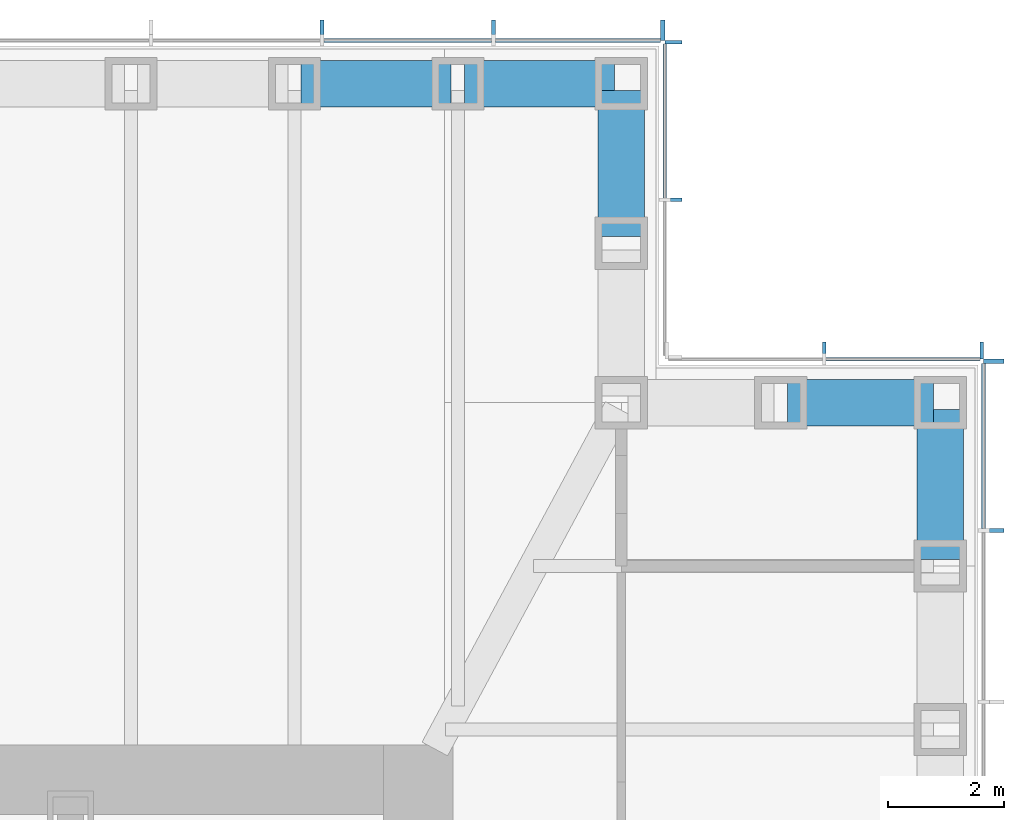
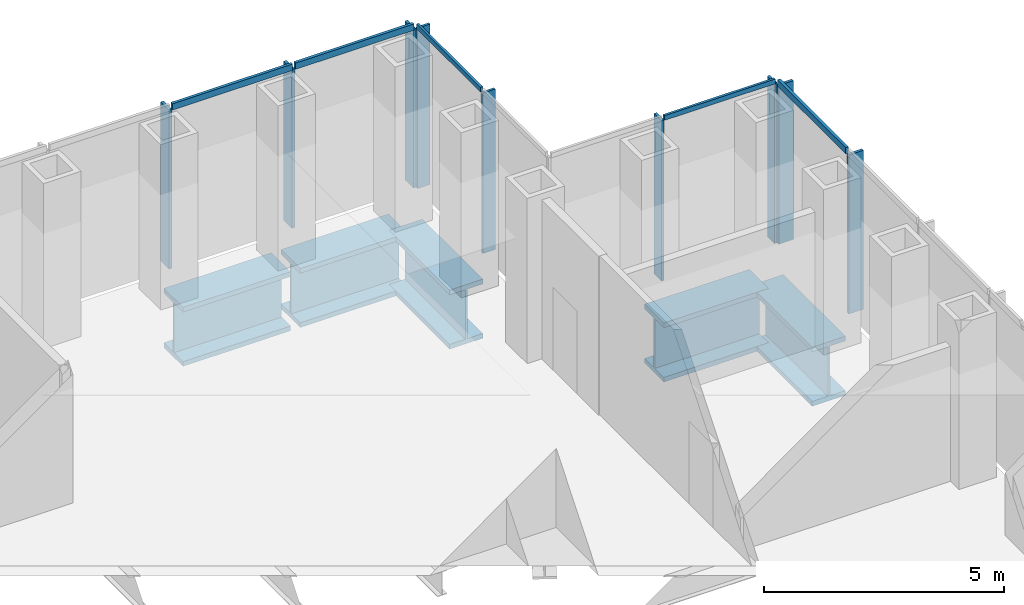
# One storey, part 6 of 16: 14 members, 5 beams, 4 elements without a shape of their own.
"""IFC4 building model written with IfcOpenShell, lengths in metres."""

from ifc_helpers import new_model, si_unit, direction, frame, origin, origin_2d, place, context, subcontext, project, spatial, rectangle, i_section, extrude, material, material_profile, profile_set, type_object, element, aggregate, save


model = new_model("IFC4")

# Units and contexts
model_context = context("Model", 3, precision=1e-05, world=origin(), true_north=direction((0.0, 1.0)))
body_context = subcontext(model_context, "Body", "Model", "MODEL_VIEW")
ifc_project = project(units=[si_unit("LENGTHUNIT", "METRE"), si_unit("AREAUNIT", "SQUARE_METRE"), si_unit("VOLUMEUNIT", "CUBIC_METRE"), si_unit("PLANEANGLEUNIT", "RADIAN"), si_unit("MASSUNIT", "GRAM", prefix="KILO")], contexts=[model_context])

# Site, building, storey
site_placement = place(None, origin())
site = spatial("IfcSite", under=ifc_project, at=site_placement, CompositionType="ELEMENT")
building_placement = place(site_placement, origin())
building = spatial("IfcBuilding", under=site, at=building_placement, Name="Daluyong Arena Tower", CompositionType="ELEMENT")
storey_placement = place(building_placement, frame((0.0, 0.0, 202.300048828125)))
storey = spatial("IfcBuildingStorey", under=building, at=storey_placement, Name="L45", CompositionType="ELEMENT", Elevation=202.300048828125)

# Curtain wall, members
ifc_material_1 = material(Name="Bronze anodised aluminium and glass", Category="aluminium")
curtain_wall_type_1 = type_object("IfcCurtainWallType", Name="Curtain wall CW3", PredefinedType="USERDEFINED", material=ifc_material_1)
curtain_wall_1_placement = place(storey_placement, origin())
curtain_wall_1 = element("IfcCurtainWall", 1, at=curtain_wall_1_placement, inside=storey, type_object=curtain_wall_type_1, Name="curtain wall L45 E", ObjectType="UNITISED CURTAIN WALL", PredefinedType="USERDEFINED")
ifc_material_2 = material(Name="Bronze anodised aluminium fin", Category="aluminium")
ifc_material_profile_1 = material_profile(ifc_material_2, rectangle(XDim=0.35009765625, YDim=0.070068359375, at=origin_2d()))
ifc_profile_set_1 = profile_set([ifc_material_profile_1], Name="Bronze anodised aluminium fin")
member_type_1 = type_object("IfcMemberType", Name="CW3 bronze fin 350x70", PredefinedType="MULLION", material=ifc_profile_set_1)
member_1_placement = place(storey_placement, frame((77.925048828125, 93.29541015625, 0.0), z_axis=(0.0, 0.0, 1.0), x_axis=(-1.0, 0.0, 0.0)))
member_1 = element("IfcMember", 2, at=member_1_placement, type_object=member_type_1, Name="curtain wall L45 E fin 11", PredefinedType="MULLION", context=body_context, shape_type="SweptSolid", body=[
    extrude(rectangle(XDim=0.35009765625, YDim=0.070068359375, at=origin_2d()), origin(), (0.0, 0.0, 1.0), 4.0400390625),
])
member_2_placement = place(storey_placement, frame((77.925048828125, 96.215087890625, 0.0), z_axis=(0.0, 0.0, 1.0), x_axis=(-1.0, 0.0, 0.0)))
member_2 = element("IfcMember", 3, at=member_2_placement, type_object=member_type_1, Name="curtain wall L45 E fin 12", PredefinedType="MULLION", context=body_context, shape_type="SweptSolid", body=[
    extrude(rectangle(XDim=0.35009765625, YDim=0.070068359375, at=origin_2d()), origin(), (0.0, 0.0, 1.0), 4.0400390625),
])

curtain_wall_2_placement = place(storey_placement, origin())
curtain_wall_2 = element("IfcCurtainWall", 4, at=curtain_wall_2_placement, inside=storey, type_object=curtain_wall_type_1, Name="curtain wall L45 N", ObjectType="UNITISED CURTAIN WALL", PredefinedType="USERDEFINED")
member_3_placement = place(storey_placement, frame((72.215087890625, 101.925048828125, 0.0), z_axis=(0.0, 0.0, 1.0), x_axis=(0.0, -1.0, 0.0)))
member_3 = element("IfcMember", 5, at=member_3_placement, type_object=member_type_1, Name="curtain wall L45 N fin 1", PredefinedType="MULLION", context=body_context, shape_type="SweptSolid", body=[
    extrude(rectangle(XDim=0.35009765625, YDim=0.070068359375, at=origin_2d()), origin(), (0.0, 0.0, 1.0), 4.0400390625),
])
member_4_placement = place(storey_placement, frame((69.29541015625, 101.925048828125, 0.0), z_axis=(0.0, 0.0, 1.0), x_axis=(0.0, -1.0, 0.0)))
member_4 = element("IfcMember", 6, at=member_4_placement, type_object=member_type_1, Name="curtain wall L45 N fin 2", PredefinedType="MULLION", context=body_context, shape_type="SweptSolid", body=[
    extrude(rectangle(XDim=0.35009765625, YDim=0.070068359375, at=origin_2d()), origin(), (0.0, 0.0, 1.0), 4.0400390625),
])
member_5_placement = place(storey_placement, frame((66.3408203125, 101.925048828125, 0.0), z_axis=(0.0, 0.0, 1.0), x_axis=(0.0, -1.0, 0.0)))
member_5 = element("IfcMember", 7, at=member_5_placement, type_object=member_type_1, Name="curtain wall L45 N fin 3", PredefinedType="MULLION", context=body_context, shape_type="SweptSolid", body=[
    extrude(rectangle(XDim=0.35009765625, YDim=0.070068359375, at=origin_2d()), origin(), (0.0, 0.0, 1.0), 4.0400390625),
])

# Member
ifc_material_3 = material(Name="Bronze anodised aluminium", Category="aluminium")
ifc_material_profile_2 = material_profile(ifc_material_3, rectangle(XDim=0.070068359375, YDim=0.159912109375, at=origin_2d()))
ifc_profile_set_2 = profile_set([ifc_material_profile_2], Name="Bronze anodised aluminium")
member_type_2 = type_object("IfcMemberType", Name="CW3 stack transom 160x70", PredefinedType="USERDEFINED", material=ifc_profile_set_2)
member_6_placement = place(storey_placement, frame((77.75, 93.33056640625, 4.119873046875), z_axis=(0.0, 1.0, 0.0), x_axis=(-1.0, 0.0, 0.0)))
member_6 = element("IfcMember", 8, at=member_6_placement, type_object=member_type_2, Name="curtain wall L45 E transom 11", ObjectType="TRANSOM", PredefinedType="USERDEFINED", context=body_context, shape_type="SweptSolid", body=[
    extrude(rectangle(XDim=0.070068359375, YDim=0.159912109375, at=origin_2d()), origin(), (0.0, 0.0, 1.0), 2.849365234375),
])

aggregate(curtain_wall_1, [member_1, member_2, member_6])

member_7_placement = place(storey_placement, frame((72.179931640625, 101.75, 4.119873046875), z_axis=(-1.0, 0.0, 0.0), x_axis=(0.0, -1.0, 0.0)))
member_7 = element("IfcMember", 9, at=member_7_placement, type_object=member_type_2, Name="curtain wall L45 N transom 1", ObjectType="TRANSOM", PredefinedType="USERDEFINED", context=body_context, shape_type="SweptSolid", body=[
    extrude(rectangle(XDim=0.070068359375, YDim=0.159912109375, at=origin_2d()), origin(), (0.0, 0.0, 1.0), 2.849365234375),
])

member_8_placement = place(storey_placement, frame((69.260498046875, 101.75, 4.119873046875), z_axis=(-1.0, 0.0, 0.0), x_axis=(0.0, -1.0, 0.0)))
member_8 = element("IfcMember", 10, at=member_8_placement, type_object=member_type_2, Name="curtain wall L45 N transom 2", ObjectType="TRANSOM", PredefinedType="USERDEFINED", context=body_context, shape_type="SweptSolid", body=[
    extrude(rectangle(XDim=0.070068359375, YDim=0.159912109375, at=origin_2d()), origin(), (0.0, 0.0, 1.0), 2.884521484375),
])

aggregate(curtain_wall_2, [member_3, member_4, member_5, member_7, member_8])

# Curtain wall, members
ifc_material_4 = material(Name="Bronze anodised aluminium and glass", Category="aluminium")
curtain_wall_type_2 = type_object("IfcCurtainWallType", Name="Curtain wall CW7", PredefinedType="USERDEFINED", material=ifc_material_4)
curtain_wall_3_placement = place(storey_placement, origin())
curtain_wall_3 = element("IfcCurtainWall", 11, at=curtain_wall_3_placement, inside=storey, type_object=curtain_wall_type_2, Name="curtain wall L45 NE-N", ObjectType="UNITISED CURTAIN WALL", PredefinedType="USERDEFINED")
ifc_material_5 = material(Name="Bronze anodised aluminium fin", Category="aluminium")
ifc_material_profile_3 = material_profile(ifc_material_5, rectangle(XDim=0.300048828125, YDim=0.06005859375, at=origin_2d()))
ifc_profile_set_3 = profile_set([ifc_material_profile_3], Name="Bronze anodised aluminium fin")
member_type_3 = type_object("IfcMemberType", Name="CW7 bronze fin 300x60", PredefinedType="MULLION", material=ifc_profile_set_3)
member_9_placement = place(storey_placement, frame((77.719970703125, 96.39990234375, 0.0), z_axis=(0.0, 0.0, 1.0), x_axis=(0.0, -1.0, 0.0)))
member_9 = element("IfcMember", 12, at=member_9_placement, type_object=member_type_3, Name="curtain wall L45 NE-N fin 1", PredefinedType="MULLION", context=body_context, shape_type="SweptSolid", body=[
    extrude(rectangle(XDim=0.300048828125, YDim=0.06005859375, at=origin_2d()), origin(), (0.0, 0.0, 1.0), 4.079833984375),
])
member_10_placement = place(storey_placement, frame((75.0, 96.39990234375, 0.0), z_axis=(0.0, 0.0, 1.0), x_axis=(0.0, -1.0, 0.0)))
member_10 = element("IfcMember", 13, at=member_10_placement, type_object=member_type_3, Name="curtain wall L45 NE-N fin 2", PredefinedType="MULLION", context=body_context, shape_type="SweptSolid", body=[
    extrude(rectangle(XDim=0.300048828125, YDim=0.06005859375, at=origin_2d()), origin(), (0.0, 0.0, 1.0), 4.079833984375),
])

curtain_wall_4_placement = place(storey_placement, origin())
curtain_wall_4 = element("IfcCurtainWall", 14, at=curtain_wall_4_placement, inside=storey, type_object=curtain_wall_type_2, Name="curtain wall L45 NE-E", ObjectType="UNITISED CURTAIN WALL", PredefinedType="USERDEFINED")
member_11_placement = place(storey_placement, frame((72.39990234375, 99.0, 0.0), z_axis=(0.0, 0.0, 1.0), x_axis=(-1.0, 0.0, 0.0)))
member_11 = element("IfcMember", 15, at=member_11_placement, type_object=member_type_3, Name="curtain wall L45 NE-E fin 2", PredefinedType="MULLION", context=body_context, shape_type="SweptSolid", body=[
    extrude(rectangle(XDim=0.300048828125, YDim=0.06005859375, at=origin_2d()), origin(), (0.0, 0.0, 1.0), 4.079833984375),
])
member_12_placement = place(storey_placement, frame((72.39990234375, 101.719970703125, 0.0), z_axis=(0.0, 0.0, 1.0), x_axis=(-1.0, 0.0, 0.0)))
member_12 = element("IfcMember", 16, at=member_12_placement, type_object=member_type_3, Name="curtain wall L45 NE-E fin 3", PredefinedType="MULLION", context=body_context, shape_type="SweptSolid", body=[
    extrude(rectangle(XDim=0.300048828125, YDim=0.06005859375, at=origin_2d()), origin(), (0.0, 0.0, 1.0), 4.079833984375),
])

# Member
ifc_material_6 = material(Name="Bronze anodised aluminium", Category="aluminium")
ifc_material_profile_4 = material_profile(ifc_material_6, rectangle(XDim=0.06005859375, YDim=0.1201171875, at=origin_2d()))
ifc_profile_set_4 = profile_set([ifc_material_profile_4], Name="Bronze anodised aluminium")
member_type_4 = type_object("IfcMemberType", Name="CW7 stack transom 120x60", PredefinedType="USERDEFINED", material=ifc_profile_set_4)
member_13_placement = place(storey_placement, frame((77.68994140625, 96.25, 4.139892578125), z_axis=(-1.0, 0.0, 0.0), x_axis=(0.0, -1.0, 0.0)))
member_13 = element("IfcMember", 17, at=member_13_placement, type_object=member_type_4, Name="curtain wall L45 NE-N transom 1", ObjectType="TRANSOM", PredefinedType="USERDEFINED", context=body_context, shape_type="SweptSolid", body=[
    extrude(rectangle(XDim=0.06005859375, YDim=0.1201171875, at=origin_2d()), origin(), (0.0, 0.0, 1.0), 2.659912109375),
])

aggregate(curtain_wall_3, [member_9, member_10, member_13])

member_14_placement = place(storey_placement, frame((72.25, 99.030029296875, 4.139892578125), z_axis=(0.0, 1.0, 0.0), x_axis=(-1.0, 0.0, 0.0)))
member_14 = element("IfcMember", 18, at=member_14_placement, type_object=member_type_4, Name="curtain wall L45 NE-E transom 2", ObjectType="TRANSOM", PredefinedType="USERDEFINED", context=body_context, shape_type="SweptSolid", body=[
    extrude(rectangle(XDim=0.06005859375, YDim=0.1201171875, at=origin_2d()), origin(), (0.0, 0.0, 1.0), 2.659912109375),
])

aggregate(curtain_wall_4, [member_11, member_12, member_14])

# Beams
ifc_material_7 = material(Name="Steel ASTM A588 Grade 50", Category="steel")
ifc_material_profile_5 = material_profile(ifc_material_7, i_section(OverallWidth=0.800048828125, OverallDepth=1.5, WebThickness=0.05, FlangeThickness=0.12, at=origin_2d()))
ifc_profile_set_5 = profile_set([ifc_material_profile_5], Name="Steel ASTM A588 Grade 50")
beam_type = type_object("IfcBeamType", Name="Spandrel Z3 PG1500X800", PredefinedType="SPANDREL", material=ifc_profile_set_5)
beam_1_placement = place(storey_placement, frame((77.0, 92.796875, -0.91015625), z_axis=(0.0, 1.0, 0.0), x_axis=(-1.0, 0.0, 0.0)))
element("IfcBeam", 19, at=beam_1_placement, inside=storey, type_object=beam_type, Name="spandrel z3 SB7", PredefinedType="SPANDREL", context=body_context, shape_type="SweptSolid", body=[
    extrude(i_section(OverallWidth=0.800048828125, OverallDepth=1.5, WebThickness=0.05, FlangeThickness=0.12, at=origin_2d()), origin(), (0.0, 0.0, 1.0), 2.588134765625),
])
for number, where, z_axis, x_axis, name in (
    (20, (76.885009765625, 95.5, -0.91015625), (-1.0, 0.0, 0.0), (0.0, -1.0, 0.0), "spandrel z3 SB7"),
    (21, (71.5, 98.364990234375, -0.91015625), (0.0, 1.0, 0.0), (-1.0, 0.0, 0.0), "spandrel z3 SB7"),
):
    element("IfcBeam", number, at=place(storey_placement, frame(where, z_axis=z_axis, x_axis=x_axis)), inside=storey, type_object=beam_type, Name=name, PredefinedType="SPANDREL", context=body_context, shape_type="SweptSolid", body=[
        extrude(i_section(OverallWidth=0.800048828125, OverallDepth=1.5, WebThickness=0.05, FlangeThickness=0.12, at=origin_2d()), origin(), (0.0, 0.0, 1.0), 2.52001953125),
    ])
beam_2_placement = place(storey_placement, frame((71.385009765625, 101.0, -0.91015625), z_axis=(-1.0, 0.0, 0.0), x_axis=(0.0, -1.0, 0.0)))
element("IfcBeam", 22, at=beam_2_placement, inside=storey, type_object=beam_type, Name="spandrel z3 SB7", PredefinedType="SPANDREL", context=body_context, shape_type="SweptSolid", body=[
    extrude(i_section(OverallWidth=0.800048828125, OverallDepth=1.5, WebThickness=0.05, FlangeThickness=0.12, at=origin_2d()), origin(), (0.0, 0.0, 1.0), 2.588134765625),
])
beam_3_placement = place(storey_placement, frame((68.56689453125, 101.0, -0.91015625), z_axis=(-1.0, 0.0, 0.0), x_axis=(0.0, -1.0, 0.0)))
element("IfcBeam", 23, at=beam_3_placement, inside=storey, type_object=beam_type, Name="spandrel z3 SB7", PredefinedType="SPANDREL", context=body_context, shape_type="SweptSolid", body=[
    extrude(i_section(OverallWidth=0.800048828125, OverallDepth=1.5, WebThickness=0.05, FlangeThickness=0.12, at=origin_2d()), origin(), (0.0, 0.0, 1.0), 2.58837890625),
])

save(model, "model.ifc")
